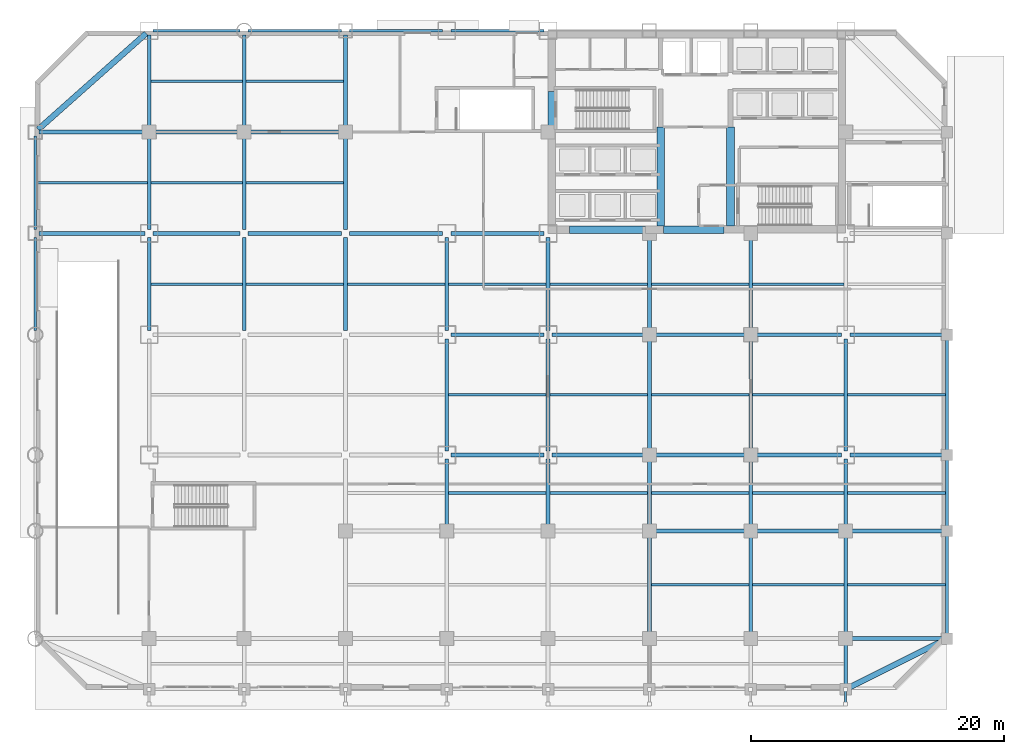
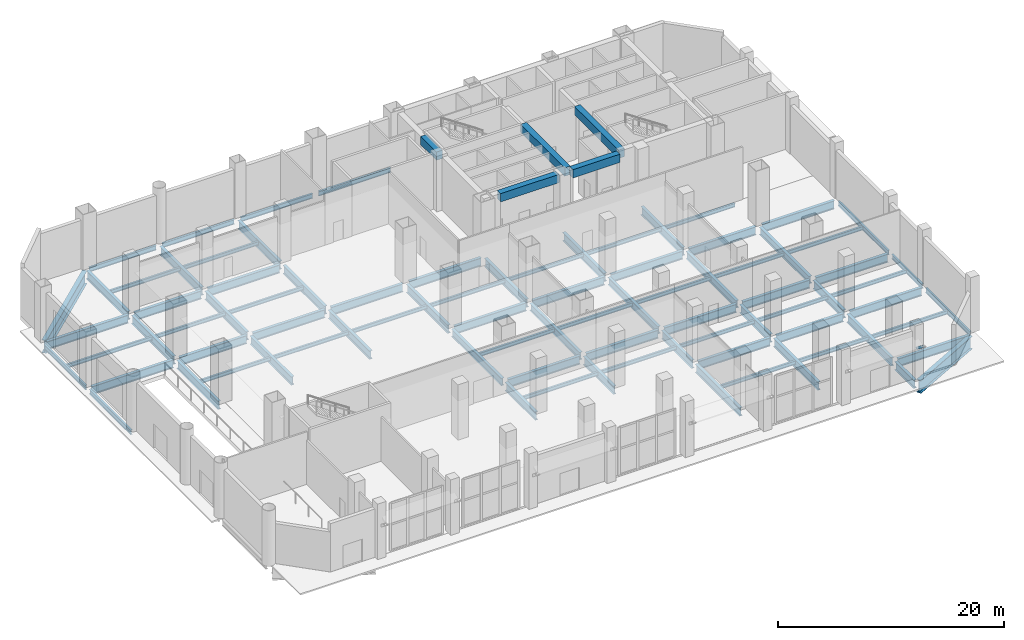
# One storey, part 9 of 19: 90 beams, 1 member.
"""IFC4 building model written with IfcOpenShell, lengths in metres."""

from ifc_helpers import new_model, si_unit, direction, frame, origin, origin_2d, place, context, subcontext, project, spatial, rectangle, hollow_rectangle, i_section, extrude, material, material_profile, profile_set, type_object, element, save


model = new_model("IFC4")

# Units and contexts
model_context = context("Model", 3, precision=1e-05, world=origin(), true_north=direction((0.0, 1.0)))
body_context = subcontext(model_context, "Body", "Model", "MODEL_VIEW")
ifc_project = project(units=[si_unit("LENGTHUNIT", "METRE"), si_unit("AREAUNIT", "SQUARE_METRE"), si_unit("VOLUMEUNIT", "CUBIC_METRE"), si_unit("PLANEANGLEUNIT", "RADIAN"), si_unit("MASSUNIT", "GRAM", prefix="KILO")], contexts=[model_context])

# Site, building, storey
site_placement = place(None, origin())
site = spatial("IfcSite", under=ifc_project, at=site_placement, CompositionType="ELEMENT")
building_placement = place(site_placement, origin())
building = spatial("IfcBuilding", under=site, at=building_placement, Name="Qianrong Seaharbour Tower", CompositionType="ELEMENT")
storey_placement = place(building_placement, origin())
storey = spatial("IfcBuildingStorey", under=building, at=storey_placement, Name="L01", CompositionType="ELEMENT", Elevation=0.0)

# Beams
ifc_material_1 = material(Name="Structural steel SN490B", Category="steel")
ifc_material_profile_1 = material_profile(ifc_material_1, i_section(OverallWidth=0.300048828125, OverallDepth=0.800048828125, WebThickness=0.013916015625, FlangeThickness=0.02587890625, FilletRadius=0.028076171875, at=origin_2d()), Name="H800x300x14x26")
ifc_profile_set_1 = profile_set([ifc_material_profile_1], Name="Structural steel SN490B")
beam_type_1 = type_object("IfcBeamType", Name="BM-G-800", PredefinedType="BEAM", material=ifc_profile_set_1)
for number, where, z_axis, x_axis, name in (
    (1, (32.5, 18.820068359375, -0.820068359375), (0.0, 1.0, 0.0), (-1.0, 0.0, 0.0), "L01 Primary Girder G5 GD-GE"),
    (2, (40.5, 18.820068359375, -0.820068359375), (0.0, 1.0, 0.0), (-1.0, 0.0, 0.0), "L01 Primary Girder G6 GD-GE"),
    (3, (48.5, 18.820068359375, -0.820068359375), (0.0, 1.0, 0.0), (-1.0, 0.0, 0.0), "L01 Primary Girder G7 GD-GE"),
    (4, (56.5, 18.820068359375, -0.820068359375), (0.0, 1.0, 0.0), (-1.0, 0.0, 0.0), "L01 Primary Girder G8 GD-GE"),
    (5, (64.0, 18.820068359375, -0.820068359375), (0.0, 1.0, 0.0), (-1.0, 0.0, 0.0), "L01 Primary Girder G9 GD-GE"),
):
    element("IfcBeam", number, at=place(storey_placement, frame(where, z_axis=z_axis, x_axis=x_axis)), inside=storey, type_object=beam_type_1, Name=name, PredefinedType="BEAM", context=body_context, shape_type="SweptSolid", body=[
        extrude(i_section(OverallWidth=0.300048828125, OverallDepth=0.800048828125, WebThickness=0.013916015625, FlangeThickness=0.02587890625, FilletRadius=0.028076171875, at=origin_2d()), origin(), (0.0, 0.0, 1.0), 8.85986328125),
    ])
ifc_material_profile_2 = material_profile(ifc_material_1, i_section(OverallWidth=0.300048828125, OverallDepth=0.89990234375, WebThickness=0.01611328125, FlangeThickness=0.028076171875, FilletRadius=0.028076171875, at=origin_2d()), Name="H900x300x16x28")
ifc_profile_set_2 = profile_set([ifc_material_profile_2], Name="Structural steel SN490B")
beam_type_2 = type_object("IfcBeamType", Name="BM-G-900", PredefinedType="BEAM", material=ifc_profile_set_2)
for number, where, z_axis, x_axis, name in (
    (6, (64.320068359375, 4.0, -0.8701171875), (1.0, 0.0, 0.0), (0.0, 1.0, 0.0), "L01 Primary Girder GB G9-G10"),
    (7, (48.820068359375, 12.5, -0.8701171875), (1.0, 0.0, 0.0), (0.0, 1.0, 0.0), "L01 Primary Girder GC G7-G8"),
):
    element("IfcBeam", number, at=place(storey_placement, frame(where, z_axis=z_axis, x_axis=x_axis)), inside=storey, type_object=beam_type_2, Name=name, PredefinedType="BEAM", context=body_context, shape_type="SweptSolid", body=[
        extrude(i_section(OverallWidth=0.300048828125, OverallDepth=0.89990234375, WebThickness=0.01611328125, FlangeThickness=0.028076171875, FilletRadius=0.028076171875, at=origin_2d()), origin(), (0.0, 0.0, 1.0), 7.35986328125),
    ])
beam_1_placement = place(storey_placement, frame((56.820068359375, 12.5, -0.8701171875), z_axis=(1.0, 0.0, 0.0), x_axis=(0.0, 1.0, 0.0)))
element("IfcBeam", 8, at=beam_1_placement, inside=storey, type_object=beam_type_2, Name="L01 Primary Girder GC G8-G9", PredefinedType="BEAM", context=body_context, shape_type="SweptSolid", body=[
    extrude(i_section(OverallWidth=0.300048828125, OverallDepth=0.89990234375, WebThickness=0.01611328125, FlangeThickness=0.028076171875, FilletRadius=0.028076171875, at=origin_2d()), origin(), (0.0, 0.0, 1.0), 6.85986328125),
])
for number, where, z_axis, x_axis, name in (
    (9, (64.320068359375, 12.5, -0.8701171875), (1.0, 0.0, 0.0), (0.0, 1.0, 0.0), "L01 Primary Girder GC G9-G10"),
    (10, (32.820068359375, 18.5, -0.8701171875), (1.0, 0.0, 0.0), (0.0, 1.0, 0.0), "L01 Primary Girder GD G5-G6"),
    (11, (40.820068359375, 18.5, -0.8701171875), (1.0, 0.0, 0.0), (0.0, 1.0, 0.0), "L01 Primary Girder GD G6-G7"),
    (12, (48.820068359375, 18.5, -0.8701171875), (1.0, 0.0, 0.0), (0.0, 1.0, 0.0), "L01 Primary Girder GD G7-G8"),
):
    element("IfcBeam", number, at=place(storey_placement, frame(where, z_axis=z_axis, x_axis=x_axis)), inside=storey, type_object=beam_type_2, Name=name, PredefinedType="BEAM", context=body_context, shape_type="SweptSolid", body=[
        extrude(i_section(OverallWidth=0.300048828125, OverallDepth=0.89990234375, WebThickness=0.01611328125, FlangeThickness=0.028076171875, FilletRadius=0.028076171875, at=origin_2d()), origin(), (0.0, 0.0, 1.0), 7.35986328125),
    ])
beam_2_placement = place(storey_placement, frame((56.820068359375, 18.5, -0.8701171875), z_axis=(1.0, 0.0, 0.0), x_axis=(0.0, 1.0, 0.0)))
element("IfcBeam", 13, at=beam_2_placement, inside=storey, type_object=beam_type_2, Name="L01 Primary Girder GD G8-G9", PredefinedType="BEAM", context=body_context, shape_type="SweptSolid", body=[
    extrude(i_section(OverallWidth=0.300048828125, OverallDepth=0.89990234375, WebThickness=0.01611328125, FlangeThickness=0.028076171875, FilletRadius=0.028076171875, at=origin_2d()), origin(), (0.0, 0.0, 1.0), 6.85986328125),
])
for number, where, z_axis, x_axis, name in (
    (14, (64.320068359375, 18.5, -0.8701171875), (1.0, 0.0, 0.0), (0.0, 1.0, 0.0), "L01 Primary Girder GD G9-G10"),
    (15, (32.820068359375, 28.0, -0.8701171875), (1.0, 0.0, 0.0), (0.0, 1.0, 0.0), "L01 Primary Girder GE G5-G6"),
    (16, (40.820068359375, 28.0, -0.8701171875), (1.0, 0.0, 0.0), (0.0, 1.0, 0.0), "L01 Primary Girder GE G6-G7"),
    (17, (48.820068359375, 28.0, -0.8701171875), (1.0, 0.0, 0.0), (0.0, 1.0, 0.0), "L01 Primary Girder GE G7-G8"),
):
    element("IfcBeam", number, at=place(storey_placement, frame(where, z_axis=z_axis, x_axis=x_axis)), inside=storey, type_object=beam_type_2, Name=name, PredefinedType="BEAM", context=body_context, shape_type="SweptSolid", body=[
        extrude(i_section(OverallWidth=0.300048828125, OverallDepth=0.89990234375, WebThickness=0.01611328125, FlangeThickness=0.028076171875, FilletRadius=0.028076171875, at=origin_2d()), origin(), (0.0, 0.0, 1.0), 7.35986328125),
    ])
beam_3_placement = place(storey_placement, frame((56.820068359375, 28.0, -0.8701171875), z_axis=(1.0, 0.0, 0.0), x_axis=(0.0, 1.0, 0.0)))
element("IfcBeam", 18, at=beam_3_placement, inside=storey, type_object=beam_type_2, Name="L01 Primary Girder GE G8-G9", PredefinedType="BEAM", context=body_context, shape_type="SweptSolid", body=[
    extrude(i_section(OverallWidth=0.300048828125, OverallDepth=0.89990234375, WebThickness=0.01611328125, FlangeThickness=0.028076171875, FilletRadius=0.028076171875, at=origin_2d()), origin(), (0.0, 0.0, 1.0), 6.85986328125),
])
beam_4_placement = place(storey_placement, frame((64.320068359375, 28.0, -0.8701171875), z_axis=(1.0, 0.0, 0.0), x_axis=(0.0, 1.0, 0.0)))
element("IfcBeam", 19, at=beam_4_placement, inside=storey, type_object=beam_type_2, Name="L01 Primary Girder GE G9-G10", PredefinedType="BEAM", context=body_context, shape_type="SweptSolid", body=[
    extrude(i_section(OverallWidth=0.300048828125, OverallDepth=0.89990234375, WebThickness=0.01611328125, FlangeThickness=0.028076171875, FilletRadius=0.028076171875, at=origin_2d()), origin(), (0.0, 0.0, 1.0), 7.35986328125),
])
beam_5_placement = place(storey_placement, frame((0.320068359375, 36.0, -0.8701171875), z_axis=(1.0, 0.0, 0.0), x_axis=(0.0, 1.0, 0.0)))
element("IfcBeam", 20, at=beam_5_placement, inside=storey, type_object=beam_type_2, Name="L01 Primary Girder GF G1-G2", PredefinedType="BEAM", context=body_context, shape_type="SweptSolid", body=[
    extrude(i_section(OverallWidth=0.300048828125, OverallDepth=0.89990234375, WebThickness=0.01611328125, FlangeThickness=0.028076171875, FilletRadius=0.028076171875, at=origin_2d()), origin(), (0.0, 0.0, 1.0), 8.35986328125),
])
beam_6_placement = place(storey_placement, frame((9.320068359375, 36.0, -0.8701171875), z_axis=(1.0, 0.0, 0.0), x_axis=(0.0, 1.0, 0.0)))
element("IfcBeam", 21, at=beam_6_placement, inside=storey, type_object=beam_type_2, Name="L01 Primary Girder GF G2-G3", PredefinedType="BEAM", context=body_context, shape_type="SweptSolid", body=[
    extrude(i_section(OverallWidth=0.300048828125, OverallDepth=0.89990234375, WebThickness=0.01611328125, FlangeThickness=0.028076171875, FilletRadius=0.028076171875, at=origin_2d()), origin(), (0.0, 0.0, 1.0), 6.85986328125),
])
for number, where, z_axis, x_axis, name in (
    (22, (16.820068359375, 36.0, -0.8701171875), (1.0, 0.0, 0.0), (0.0, 1.0, 0.0), "L01 Primary Girder GF G3-G4"),
    (23, (24.820068359375, 36.0, -0.8701171875), (1.0, 0.0, 0.0), (0.0, 1.0, 0.0), "L01 Primary Girder GF G4-G5"),
    (24, (32.820068359375, 36.0, -0.8701171875), (1.0, 0.0, 0.0), (0.0, 1.0, 0.0), "L01 Primary Girder GF G5-G6"),
):
    element("IfcBeam", number, at=place(storey_placement, frame(where, z_axis=z_axis, x_axis=x_axis)), inside=storey, type_object=beam_type_2, Name=name, PredefinedType="BEAM", context=body_context, shape_type="SweptSolid", body=[
        extrude(i_section(OverallWidth=0.300048828125, OverallDepth=0.89990234375, WebThickness=0.01611328125, FlangeThickness=0.028076171875, FilletRadius=0.028076171875, at=origin_2d()), origin(), (0.0, 0.0, 1.0), 7.35986328125),
    ])
beam_7_placement = place(storey_placement, frame((0.320068359375, 44.0, -0.8701171875), z_axis=(1.0, 0.0, 0.0), x_axis=(0.0, 1.0, 0.0)))
element("IfcBeam", 25, at=beam_7_placement, inside=storey, type_object=beam_type_2, Name="L01 Primary Girder GG G1-G2", PredefinedType="BEAM", context=body_context, shape_type="SweptSolid", body=[
    extrude(i_section(OverallWidth=0.300048828125, OverallDepth=0.89990234375, WebThickness=0.01611328125, FlangeThickness=0.028076171875, FilletRadius=0.028076171875, at=origin_2d()), origin(), (0.0, 0.0, 1.0), 8.35986328125),
])
beam_8_placement = place(storey_placement, frame((9.320068359375, 44.0, -0.8701171875), z_axis=(1.0, 0.0, 0.0), x_axis=(0.0, 1.0, 0.0)))
element("IfcBeam", 26, at=beam_8_placement, inside=storey, type_object=beam_type_2, Name="L01 Primary Girder GG G2-G3", PredefinedType="BEAM", context=body_context, shape_type="SweptSolid", body=[
    extrude(i_section(OverallWidth=0.300048828125, OverallDepth=0.89990234375, WebThickness=0.01611328125, FlangeThickness=0.028076171875, FilletRadius=0.028076171875, at=origin_2d()), origin(), (0.0, 0.0, 1.0), 6.85986328125),
])
for number, where, z_axis, x_axis, name in (
    (27, (16.820068359375, 44.0, -0.8701171875), (1.0, 0.0, 0.0), (0.0, 1.0, 0.0), "L01 Primary Girder GG G3-G4"),
    (28, (9.0, 28.320068359375, -0.8701171875), (0.0, 1.0, 0.0), (-1.0, 0.0, 0.0), "L01 Primary Girder G2 GE-GF"),
    (29, (9.0, 36.320068359375, -0.8701171875), (0.0, 1.0, 0.0), (-1.0, 0.0, 0.0), "L01 Primary Girder G2 GF-GG"),
    (30, (9.0, 44.320068359375, -0.8701171875), (0.0, 1.0, 0.0), (-1.0, 0.0, 0.0), "L01 Primary Girder G2 GG-GH"),
    (31, (16.5, 28.320068359375, -0.8701171875), (0.0, 1.0, 0.0), (-1.0, 0.0, 0.0), "L01 Primary Girder G3 GE-GF"),
    (32, (16.5, 36.320068359375, -0.8701171875), (0.0, 1.0, 0.0), (-1.0, 0.0, 0.0), "L01 Primary Girder G3 GF-GG"),
    (33, (16.5, 44.320068359375, -0.8701171875), (0.0, 1.0, 0.0), (-1.0, 0.0, 0.0), "L01 Primary Girder G3 GG-GH"),
    (34, (24.5, 28.320068359375, -0.8701171875), (0.0, 1.0, 0.0), (-1.0, 0.0, 0.0), "L01 Primary Girder G4 GE-GF"),
    (35, (24.5, 36.320068359375, -0.8701171875), (0.0, 1.0, 0.0), (-1.0, 0.0, 0.0), "L01 Primary Girder G4 GF-GG"),
    (36, (24.5, 44.320068359375, -0.8701171875), (0.0, 1.0, 0.0), (-1.0, 0.0, 0.0), "L01 Primary Girder G4 GG-GH"),
):
    element("IfcBeam", number, at=place(storey_placement, frame(where, z_axis=z_axis, x_axis=x_axis)), inside=storey, type_object=beam_type_2, Name=name, PredefinedType="BEAM", context=body_context, shape_type="SweptSolid", body=[
        extrude(i_section(OverallWidth=0.300048828125, OverallDepth=0.89990234375, WebThickness=0.01611328125, FlangeThickness=0.028076171875, FilletRadius=0.028076171875, at=origin_2d()), origin(), (0.0, 0.0, 1.0), 7.35986328125),
    ])
beam_9_placement = place(storey_placement, frame((32.5, 12.820068359375, -0.8701171875), z_axis=(0.0, 1.0, 0.0), x_axis=(-1.0, 0.0, 0.0)))
element("IfcBeam", 37, at=beam_9_placement, inside=storey, type_object=beam_type_2, Name="L01 Primary Girder G5 GC-GD", PredefinedType="BEAM", context=body_context, shape_type="SweptSolid", body=[
    extrude(i_section(OverallWidth=0.300048828125, OverallDepth=0.89990234375, WebThickness=0.01611328125, FlangeThickness=0.028076171875, FilletRadius=0.028076171875, at=origin_2d()), origin(), (0.0, 0.0, 1.0), 5.35986328125),
])
beam_10_placement = place(storey_placement, frame((32.5, 28.320068359375, -0.8701171875), z_axis=(0.0, 1.0, 0.0), x_axis=(-1.0, 0.0, 0.0)))
element("IfcBeam", 38, at=beam_10_placement, inside=storey, type_object=beam_type_2, Name="L01 Primary Girder G5 GE-GF", PredefinedType="BEAM", context=body_context, shape_type="SweptSolid", body=[
    extrude(i_section(OverallWidth=0.300048828125, OverallDepth=0.89990234375, WebThickness=0.01611328125, FlangeThickness=0.028076171875, FilletRadius=0.028076171875, at=origin_2d()), origin(), (0.0, 0.0, 1.0), 7.35986328125),
])
beam_11_placement = place(storey_placement, frame((40.5, 12.820068359375, -0.8701171875), z_axis=(0.0, 1.0, 0.0), x_axis=(-1.0, 0.0, 0.0)))
element("IfcBeam", 39, at=beam_11_placement, inside=storey, type_object=beam_type_2, Name="L01 Primary Girder G6 GC-GD", PredefinedType="BEAM", context=body_context, shape_type="SweptSolid", body=[
    extrude(i_section(OverallWidth=0.300048828125, OverallDepth=0.89990234375, WebThickness=0.01611328125, FlangeThickness=0.028076171875, FilletRadius=0.028076171875, at=origin_2d()), origin(), (0.0, 0.0, 1.0), 5.35986328125),
])
beam_12_placement = place(storey_placement, frame((40.5, 28.320068359375, -0.8701171875), z_axis=(0.0, 1.0, 0.0), x_axis=(-1.0, 0.0, 0.0)))
element("IfcBeam", 40, at=beam_12_placement, inside=storey, type_object=beam_type_2, Name="L01 Primary Girder G6 GE-GF", PredefinedType="BEAM", context=body_context, shape_type="SweptSolid", body=[
    extrude(i_section(OverallWidth=0.300048828125, OverallDepth=0.89990234375, WebThickness=0.01611328125, FlangeThickness=0.028076171875, FilletRadius=0.028076171875, at=origin_2d()), origin(), (0.0, 0.0, 1.0), 7.35986328125),
])
beam_13_placement = place(storey_placement, frame((48.5, 4.320068359375, -0.8701171875), z_axis=(0.0, 1.0, 0.0), x_axis=(-1.0, 0.0, 0.0)))
element("IfcBeam", 41, at=beam_13_placement, inside=storey, type_object=beam_type_2, Name="L01 Primary Girder G7 GB-GC", PredefinedType="BEAM", context=body_context, shape_type="SweptSolid", body=[
    extrude(i_section(OverallWidth=0.300048828125, OverallDepth=0.89990234375, WebThickness=0.01611328125, FlangeThickness=0.028076171875, FilletRadius=0.028076171875, at=origin_2d()), origin(), (0.0, 0.0, 1.0), 7.85986328125),
])
beam_14_placement = place(storey_placement, frame((48.5, 12.820068359375, -0.8701171875), z_axis=(0.0, 1.0, 0.0), x_axis=(-1.0, 0.0, 0.0)))
element("IfcBeam", 42, at=beam_14_placement, inside=storey, type_object=beam_type_2, Name="L01 Primary Girder G7 GC-GD", PredefinedType="BEAM", context=body_context, shape_type="SweptSolid", body=[
    extrude(i_section(OverallWidth=0.300048828125, OverallDepth=0.89990234375, WebThickness=0.01611328125, FlangeThickness=0.028076171875, FilletRadius=0.028076171875, at=origin_2d()), origin(), (0.0, 0.0, 1.0), 5.35986328125),
])
beam_15_placement = place(storey_placement, frame((48.5, 28.320068359375, -0.8701171875), z_axis=(0.0, 1.0, 0.0), x_axis=(-1.0, 0.0, 0.0)))
element("IfcBeam", 43, at=beam_15_placement, inside=storey, type_object=beam_type_2, Name="L01 Primary Girder G7 GE-GF", PredefinedType="BEAM", context=body_context, shape_type="SweptSolid", body=[
    extrude(i_section(OverallWidth=0.300048828125, OverallDepth=0.89990234375, WebThickness=0.01611328125, FlangeThickness=0.028076171875, FilletRadius=0.028076171875, at=origin_2d()), origin(), (0.0, 0.0, 1.0), 7.35986328125),
])
beam_16_placement = place(storey_placement, frame((56.5, 4.320068359375, -0.8701171875), z_axis=(0.0, 1.0, 0.0), x_axis=(-1.0, 0.0, 0.0)))
element("IfcBeam", 44, at=beam_16_placement, inside=storey, type_object=beam_type_2, Name="L01 Primary Girder G8 GB-GC", PredefinedType="BEAM", context=body_context, shape_type="SweptSolid", body=[
    extrude(i_section(OverallWidth=0.300048828125, OverallDepth=0.89990234375, WebThickness=0.01611328125, FlangeThickness=0.028076171875, FilletRadius=0.028076171875, at=origin_2d()), origin(), (0.0, 0.0, 1.0), 7.85986328125),
])
beam_17_placement = place(storey_placement, frame((56.5, 12.820068359375, -0.8701171875), z_axis=(0.0, 1.0, 0.0), x_axis=(-1.0, 0.0, 0.0)))
element("IfcBeam", 45, at=beam_17_placement, inside=storey, type_object=beam_type_2, Name="L01 Primary Girder G8 GC-GD", PredefinedType="BEAM", context=body_context, shape_type="SweptSolid", body=[
    extrude(i_section(OverallWidth=0.300048828125, OverallDepth=0.89990234375, WebThickness=0.01611328125, FlangeThickness=0.028076171875, FilletRadius=0.028076171875, at=origin_2d()), origin(), (0.0, 0.0, 1.0), 5.35986328125),
])
beam_18_placement = place(storey_placement, frame((56.5, 28.320068359375, -0.8701171875), z_axis=(0.0, 1.0, 0.0), x_axis=(-1.0, 0.0, 0.0)))
element("IfcBeam", 46, at=beam_18_placement, inside=storey, type_object=beam_type_2, Name="L01 Primary Girder G8 GE-GF", PredefinedType="BEAM", context=body_context, shape_type="SweptSolid", body=[
    extrude(i_section(OverallWidth=0.300048828125, OverallDepth=0.89990234375, WebThickness=0.01611328125, FlangeThickness=0.028076171875, FilletRadius=0.028076171875, at=origin_2d()), origin(), (0.0, 0.0, 1.0), 7.35986328125),
])
beam_19_placement = place(storey_placement, frame((64.0, 0.320068359375, -0.8701171875), z_axis=(0.0, 1.0, 0.0), x_axis=(-1.0, 0.0, 0.0)))
element("IfcBeam", 47, at=beam_19_placement, inside=storey, type_object=beam_type_2, Name="L01 Primary Girder G9 GA-GB", PredefinedType="BEAM", context=body_context, shape_type="SweptSolid", body=[
    extrude(i_section(OverallWidth=0.300048828125, OverallDepth=0.89990234375, WebThickness=0.01611328125, FlangeThickness=0.028076171875, FilletRadius=0.028076171875, at=origin_2d()), origin(), (0.0, 0.0, 1.0), 3.35986328125),
])
beam_20_placement = place(storey_placement, frame((64.0, 4.320068359375, -0.8701171875), z_axis=(0.0, 1.0, 0.0), x_axis=(-1.0, 0.0, 0.0)))
element("IfcBeam", 48, at=beam_20_placement, inside=storey, type_object=beam_type_2, Name="L01 Primary Girder G9 GB-GC", PredefinedType="BEAM", context=body_context, shape_type="SweptSolid", body=[
    extrude(i_section(OverallWidth=0.300048828125, OverallDepth=0.89990234375, WebThickness=0.01611328125, FlangeThickness=0.028076171875, FilletRadius=0.028076171875, at=origin_2d()), origin(), (0.0, 0.0, 1.0), 7.85986328125),
])
beam_21_placement = place(storey_placement, frame((64.0, 12.820068359375, -0.8701171875), z_axis=(0.0, 1.0, 0.0), x_axis=(-1.0, 0.0, 0.0)))
element("IfcBeam", 49, at=beam_21_placement, inside=storey, type_object=beam_type_2, Name="L01 Primary Girder G9 GC-GD", PredefinedType="BEAM", context=body_context, shape_type="SweptSolid", body=[
    extrude(i_section(OverallWidth=0.300048828125, OverallDepth=0.89990234375, WebThickness=0.01611328125, FlangeThickness=0.028076171875, FilletRadius=0.028076171875, at=origin_2d()), origin(), (0.0, 0.0, 1.0), 5.35986328125),
])
ifc_material_2 = material(Name="Structural steel SN400B", Category="steel")
ifc_material_profile_3 = material_profile(ifc_material_2, i_section(OverallWidth=0.199951171875, OverallDepth=0.39990234375, WebThickness=0.008056640625, FlangeThickness=0.012939453125, FilletRadius=0.01611328125, at=origin_2d()), Name="H400x200x8x13")
ifc_profile_set_3 = profile_set([ifc_material_profile_3], Name="Structural steel SN400B")
beam_type_3 = type_object("IfcBeamType", Name="BM-J-400", PredefinedType="JOIST", material=ifc_profile_set_3)
beam_22_placement = place(storey_placement, frame((0.10009765625, 40.0, -0.6201171875), z_axis=(1.0, 0.0, 0.0), x_axis=(0.0, 1.0, 0.0)))
element("IfcBeam", 50, at=beam_22_placement, inside=storey, type_object=beam_type_3, Name="L01 Composite Floor Joist G1-G2/GF-GG", PredefinedType="JOIST", context=body_context, shape_type="SweptSolid", body=[
    extrude(i_section(OverallWidth=0.199951171875, OverallDepth=0.39990234375, WebThickness=0.008056640625, FlangeThickness=0.012939453125, FilletRadius=0.01611328125, at=origin_2d()), origin(), (0.0, 0.0, 1.0), 8.75),
])
for number, where, z_axis, x_axis, name in (
    (51, (9.14990234375, 32.0, -0.6201171875), (1.0, 0.0, 0.0), (0.0, 1.0, 0.0), "L01 Composite Floor Joist G2-G3/GE-GF"),
    (52, (9.14990234375, 40.0, -0.6201171875), (1.0, 0.0, 0.0), (0.0, 1.0, 0.0), "L01 Composite Floor Joist G2-G3/GF-GG"),
    (53, (9.14990234375, 48.0, -0.6201171875), (1.0, 0.0, 0.0), (0.0, 1.0, 0.0), "L01 Composite Floor Joist G2-G3/GG-GH"),
):
    element("IfcBeam", number, at=place(storey_placement, frame(where, z_axis=z_axis, x_axis=x_axis)), inside=storey, type_object=beam_type_3, Name=name, PredefinedType="JOIST", context=body_context, shape_type="SweptSolid", body=[
        extrude(i_section(OverallWidth=0.199951171875, OverallDepth=0.39990234375, WebThickness=0.008056640625, FlangeThickness=0.012939453125, FilletRadius=0.01611328125, at=origin_2d()), origin(), (0.0, 0.0, 1.0), 7.2001953125),
    ])
for number, where, z_axis, x_axis, name in (
    (54, (16.64990234375, 32.0, -0.6201171875), (1.0, 0.0, 0.0), (0.0, 1.0, 0.0), "L01 Composite Floor Joist G3-G4/GE-GF"),
    (55, (16.64990234375, 40.0, -0.6201171875), (1.0, 0.0, 0.0), (0.0, 1.0, 0.0), "L01 Composite Floor Joist G3-G4/GF-GG"),
    (56, (16.64990234375, 48.0, -0.6201171875), (1.0, 0.0, 0.0), (0.0, 1.0, 0.0), "L01 Composite Floor Joist G3-G4/GG-GH"),
    (57, (24.64990234375, 32.0, -0.6201171875), (1.0, 0.0, 0.0), (0.0, 1.0, 0.0), "L01 Composite Floor Joist G4-G5/GE-GF"),
    (58, (32.64990234375, 15.5, -0.6201171875), (1.0, 0.0, 0.0), (0.0, 1.0, 0.0), "L01 Composite Floor Joist G5-G6/GC-GD"),
    (59, (32.64990234375, 23.25, -0.6201171875), (1.0, 0.0, 0.0), (0.0, 1.0, 0.0), "L01 Composite Floor Joist G5-G6/GD-GE"),
    (60, (32.64990234375, 32.0, -0.6201171875), (1.0, 0.0, 0.0), (0.0, 1.0, 0.0), "L01 Composite Floor Joist G5-G6/GE-GF"),
    (61, (40.64990234375, 15.5, -0.6201171875), (1.0, 0.0, 0.0), (0.0, 1.0, 0.0), "L01 Composite Floor Joist G6-G7/GC-GD"),
    (62, (40.64990234375, 23.25, -0.6201171875), (1.0, 0.0, 0.0), (0.0, 1.0, 0.0), "L01 Composite Floor Joist G6-G7/GD-GE"),
    (63, (40.64990234375, 32.0, -0.6201171875), (1.0, 0.0, 0.0), (0.0, 1.0, 0.0), "L01 Composite Floor Joist G6-G7/GE-GF"),
    (64, (48.64990234375, 8.25, -0.6201171875), (1.0, 0.0, 0.0), (0.0, 1.0, 0.0), "L01 Composite Floor Joist G7-G8/GB-GC"),
    (65, (48.64990234375, 15.5, -0.6201171875), (1.0, 0.0, 0.0), (0.0, 1.0, 0.0), "L01 Composite Floor Joist G7-G8/GC-GD"),
    (66, (48.64990234375, 23.25, -0.6201171875), (1.0, 0.0, 0.0), (0.0, 1.0, 0.0), "L01 Composite Floor Joist G7-G8/GD-GE"),
    (67, (48.64990234375, 32.0, -0.6201171875), (1.0, 0.0, 0.0), (0.0, 1.0, 0.0), "L01 Composite Floor Joist G7-G8/GE-GF"),
):
    element("IfcBeam", number, at=place(storey_placement, frame(where, z_axis=z_axis, x_axis=x_axis)), inside=storey, type_object=beam_type_3, Name=name, PredefinedType="JOIST", context=body_context, shape_type="SweptSolid", body=[
        extrude(i_section(OverallWidth=0.199951171875, OverallDepth=0.39990234375, WebThickness=0.008056640625, FlangeThickness=0.012939453125, FilletRadius=0.01611328125, at=origin_2d()), origin(), (0.0, 0.0, 1.0), 7.7001953125),
    ])
for number, where, z_axis, x_axis, name in (
    (68, (56.64990234375, 8.25, -0.6201171875), (1.0, 0.0, 0.0), (0.0, 1.0, 0.0), "L01 Composite Floor Joist G8-G9/GB-GC"),
    (69, (56.64990234375, 15.5, -0.6201171875), (1.0, 0.0, 0.0), (0.0, 1.0, 0.0), "L01 Composite Floor Joist G8-G9/GC-GD"),
    (70, (56.64990234375, 23.25, -0.6201171875), (1.0, 0.0, 0.0), (0.0, 1.0, 0.0), "L01 Composite Floor Joist G8-G9/GD-GE"),
    (71, (56.64990234375, 32.0, -0.6201171875), (1.0, 0.0, 0.0), (0.0, 1.0, 0.0), "L01 Composite Floor Joist G8-G9/GE-GF"),
):
    element("IfcBeam", number, at=place(storey_placement, frame(where, z_axis=z_axis, x_axis=x_axis)), inside=storey, type_object=beam_type_3, Name=name, PredefinedType="JOIST", context=body_context, shape_type="SweptSolid", body=[
        extrude(i_section(OverallWidth=0.199951171875, OverallDepth=0.39990234375, WebThickness=0.008056640625, FlangeThickness=0.012939453125, FilletRadius=0.01611328125, at=origin_2d()), origin(), (0.0, 0.0, 1.0), 7.2001953125),
    ])
for number, where, z_axis, x_axis, name in (
    (72, (64.14990234375, 8.25, -0.6201171875), (1.0, 0.0, 0.0), (0.0, 1.0, 0.0), "L01 Composite Floor Joist G9-G10/GB-GC"),
    (73, (64.14990234375, 15.5, -0.6201171875), (1.0, 0.0, 0.0), (0.0, 1.0, 0.0), "L01 Composite Floor Joist G9-G10/GC-GD"),
    (74, (64.14990234375, 23.25, -0.6201171875), (1.0, 0.0, 0.0), (0.0, 1.0, 0.0), "L01 Composite Floor Joist G9-G10/GD-GE"),
):
    element("IfcBeam", number, at=place(storey_placement, frame(where, z_axis=z_axis, x_axis=x_axis)), inside=storey, type_object=beam_type_3, Name=name, PredefinedType="JOIST", context=body_context, shape_type="SweptSolid", body=[
        extrude(i_section(OverallWidth=0.199951171875, OverallDepth=0.39990234375, WebThickness=0.008056640625, FlangeThickness=0.012939453125, FilletRadius=0.01611328125, at=origin_2d()), origin(), (0.0, 0.0, 1.0), 7.75),
    ])
ifc_material_3 = material(Name="Concrete C70/85", Category="concrete")
ifc_material_profile_4 = material_profile(ifc_material_3, rectangle(XDim=0.60009765625, YDim=0.89990234375, at=origin_2d()), Name="RC600x900")
ifc_profile_set_4 = profile_set([ifc_material_profile_4], Name="Concrete C70/85")
beam_type_4 = type_object("IfcBeamType", Name="BM-LINTEL-900", PredefinedType="LINTEL", material=ifc_profile_set_4)
beam_23_placement = place(storey_placement, frame((40.7900390625, 44.39990234375, 5.27001953125), z_axis=(0.0, 1.0, 0.0), x_axis=(-1.0, 0.0, 0.0)))
element("IfcBeam", 75, at=beam_23_placement, inside=storey, type_object=beam_type_4, Name="L01 Core Coupling Lintel Beam West", PredefinedType="LINTEL", context=body_context, shape_type="SweptSolid", body=[
    extrude(rectangle(XDim=0.60009765625, YDim=0.89990234375, at=origin_2d()), origin(), (0.0, 0.0, 1.0), 2.800048828125),
])
beam_24_placement = place(storey_placement, frame((42.199951171875, 36.2900390625, 5.27001953125), z_axis=(1.0, 0.0, 0.0), x_axis=(0.0, 1.0, 0.0)))
element("IfcBeam", 76, at=beam_24_placement, inside=storey, type_object=beam_type_4, Name="L01 Core Coupling Lintel Beam CBW", PredefinedType="LINTEL", context=body_context, shape_type="SweptSolid", body=[
    extrude(rectangle(XDim=0.60009765625, YDim=0.89990234375, at=origin_2d()), origin(), (0.0, 0.0, 1.0), 6.0),
])
beam_25_placement = place(storey_placement, frame((49.60009765625, 36.2900390625, 5.27001953125), z_axis=(1.0, 0.0, 0.0), x_axis=(0.0, 1.0, 0.0)))
element("IfcBeam", 77, at=beam_25_placement, inside=storey, type_object=beam_type_4, Name="L01 Core Coupling Lintel Beam CBC", PredefinedType="LINTEL", context=body_context, shape_type="SweptSolid", body=[
    extrude(rectangle(XDim=0.60009765625, YDim=0.89990234375, at=origin_2d()), origin(), (0.0, 0.0, 1.0), 4.7998046875),
])
for number, where, z_axis, x_axis, name in (
    (78, (49.39990234375, 36.580078125, 5.27001953125), (0.0, 1.0, 0.0), (-1.0, 0.0, 0.0), "L01 Internal Core Coupling Beam IW1"),
    (79, (54.89990234375, 36.580078125, 5.27001953125), (0.0, 1.0, 0.0), (-1.0, 0.0, 0.0), "L01 Internal Core Coupling Beam IW2"),
):
    element("IfcBeam", number, at=place(storey_placement, frame(where, z_axis=z_axis, x_axis=x_axis)), inside=storey, type_object=beam_type_4, Name=name, PredefinedType="LINTEL", context=body_context, shape_type="SweptSolid", body=[
        extrude(rectangle(XDim=0.60009765625, YDim=0.89990234375, at=origin_2d()), origin(), (0.0, 0.0, 1.0), 7.81982421875),
    ])
ifc_material_profile_5 = material_profile(ifc_material_1, i_section(OverallWidth=0.199951171875, OverallDepth=0.5, WebThickness=0.010009765625, FlangeThickness=0.01611328125, FilletRadius=0.02001953125, at=origin_2d()), Name="H500x200x10x16")
ifc_profile_set_5 = profile_set([ifc_material_profile_5], Name="Structural steel SN490B")
beam_type_5 = type_object("IfcBeamType", Name="BM-SP-500", PredefinedType="SPANDREL", material=ifc_profile_set_5)
beam_26_placement = place(storey_placement, frame((9.320068359375, 52.0, -0.669921875), z_axis=(1.0, 0.0, 0.0), x_axis=(0.0, 1.0, 0.0)))
element("IfcBeam", 80, at=beam_26_placement, inside=storey, type_object=beam_type_5, Name="L01 Spandrel Girder GH G2-G3", PredefinedType="SPANDREL", context=body_context, shape_type="SweptSolid", body=[
    extrude(i_section(OverallWidth=0.199951171875, OverallDepth=0.5, WebThickness=0.010009765625, FlangeThickness=0.01611328125, FilletRadius=0.02001953125, at=origin_2d()), origin(), (0.0, 0.0, 1.0), 6.85986328125),
])
for number, where, z_axis, x_axis, name in (
    (81, (16.820068359375, 52.0, -0.669921875), (1.0, 0.0, 0.0), (0.0, 1.0, 0.0), "L01 Spandrel Girder GH G3-G4"),
    (82, (24.820068359375, 52.0, -0.669921875), (1.0, 0.0, 0.0), (0.0, 1.0, 0.0), "L01 Spandrel Girder GH G4-G5"),
    (83, (32.820068359375, 52.0, -0.669921875), (1.0, 0.0, 0.0), (0.0, 1.0, 0.0), "L01 Spandrel Girder GH G5-G6"),
    (84, (0.0, 28.320068359375, -0.669921875), (0.0, 1.0, 0.0), (-1.0, 0.0, 0.0), "L01 Spandrel Girder G1 GE-GF"),
    (85, (0.0, 36.320068359375, -0.669921875), (0.0, 1.0, 0.0), (-1.0, 0.0, 0.0), "L01 Spandrel Girder G1 GF-GG"),
):
    element("IfcBeam", number, at=place(storey_placement, frame(where, z_axis=z_axis, x_axis=x_axis)), inside=storey, type_object=beam_type_5, Name=name, PredefinedType="SPANDREL", context=body_context, shape_type="SweptSolid", body=[
        extrude(i_section(OverallWidth=0.199951171875, OverallDepth=0.5, WebThickness=0.010009765625, FlangeThickness=0.01611328125, FilletRadius=0.02001953125, at=origin_2d()), origin(), (0.0, 0.0, 1.0), 7.35986328125),
    ])
beam_27_placement = place(storey_placement, frame((72.0, 4.320068359375, -0.669921875), z_axis=(0.0, 1.0, 0.0), x_axis=(-1.0, 0.0, 0.0)))
element("IfcBeam", 86, at=beam_27_placement, inside=storey, type_object=beam_type_5, Name="L01 Spandrel Girder G10 GB-GC", PredefinedType="SPANDREL", context=body_context, shape_type="SweptSolid", body=[
    extrude(i_section(OverallWidth=0.199951171875, OverallDepth=0.5, WebThickness=0.010009765625, FlangeThickness=0.01611328125, FilletRadius=0.02001953125, at=origin_2d()), origin(), (0.0, 0.0, 1.0), 7.85986328125),
])
beam_28_placement = place(storey_placement, frame((72.0, 12.820068359375, -0.669921875), z_axis=(0.0, 1.0, 0.0), x_axis=(-1.0, 0.0, 0.0)))
element("IfcBeam", 87, at=beam_28_placement, inside=storey, type_object=beam_type_5, Name="L01 Spandrel Girder G10 GC-GD", PredefinedType="SPANDREL", context=body_context, shape_type="SweptSolid", body=[
    extrude(i_section(OverallWidth=0.199951171875, OverallDepth=0.5, WebThickness=0.010009765625, FlangeThickness=0.01611328125, FilletRadius=0.02001953125, at=origin_2d()), origin(), (0.0, 0.0, 1.0), 5.35986328125),
])
beam_29_placement = place(storey_placement, frame((72.0, 18.820068359375, -0.669921875), z_axis=(0.0, 1.0, 0.0), x_axis=(-1.0, 0.0, 0.0)))
element("IfcBeam", 88, at=beam_29_placement, inside=storey, type_object=beam_type_5, Name="L01 Spandrel Girder G10 GD-GE", PredefinedType="SPANDREL", context=body_context, shape_type="SweptSolid", body=[
    extrude(i_section(OverallWidth=0.199951171875, OverallDepth=0.5, WebThickness=0.010009765625, FlangeThickness=0.01611328125, FilletRadius=0.02001953125, at=origin_2d()), origin(), (0.0, 0.0, 1.0), 8.85986328125),
])
ifc_material_profile_6 = material_profile(ifc_material_1, i_section(OverallWidth=0.449951171875, OverallDepth=1.39990234375, WebThickness=0.02197265625, FlangeThickness=0.0400390625, at=origin_2d()), Name="BH1400x450x22x40")
ifc_profile_set_6 = profile_set([ifc_material_profile_6], Name="Structural steel SN490B")
beam_type_6 = type_object("IfcBeamType", Name="BM-TG-1400", PredefinedType="BEAM", material=ifc_profile_set_6)
beam_30_placement = place(storey_placement, frame((8.7607421875, 51.787353515625, -1.1201171875), z_axis=(-0.747406955841, -0.664366497018, 0.0), x_axis=(0.664366497018, -0.747406955841, 0.0)))
element("IfcBeam", 89, at=beam_30_placement, inside=storey, type_object=beam_type_6, Name="L01 Chamfer Corner Spandrel Girder G1/GH", PredefinedType="BEAM", context=body_context, shape_type="SweptSolid", body=[
    extrude(i_section(OverallWidth=0.449951171875, OverallDepth=1.39990234375, WebThickness=0.02197265625, FlangeThickness=0.0400390625, at=origin_2d()), origin(), (0.0, 0.0, 1.0), 11.4013671875),
])
beam_31_placement = place(storey_placement, frame((64.2861328125, 0.14306640625, -1.1201171875), z_axis=(0.894427191, 0.4472135955, 0.0), x_axis=(-0.4472135955, 0.894427191, 0.0)))
element("IfcBeam", 90, at=beam_31_placement, inside=storey, type_object=beam_type_6, Name="L01 Chamfer Corner Spandrel Girder G10/GA", PredefinedType="BEAM", context=body_context, shape_type="SweptSolid", body=[
    extrude(i_section(OverallWidth=0.449951171875, OverallDepth=1.39990234375, WebThickness=0.02197265625, FlangeThickness=0.0400390625, at=origin_2d()), origin(), (0.0, 0.0, 1.0), 8.304443359375),
])

# Member
ifc_material_profile_7 = material_profile(ifc_material_2, hollow_rectangle(XDim=0.14990234375, YDim=0.25, WallThickness=0.009033203125, at=origin_2d()), Name="RHS250x150x9")
ifc_profile_set_7 = profile_set([ifc_material_profile_7], Name="Structural steel SN400B")
member_type = type_object("IfcMemberType", Name="MEM-STRUT-250", PredefinedType="STRUT", material=ifc_profile_set_7)
member_placement = place(storey_placement, frame((64.0, 0.0, 3.199951171875), z_axis=(0.0, -0.78743090963, 0.616402922251), x_axis=(1.0, 0.0, 0.0)))
element("IfcMember", 91, at=member_placement, inside=storey, type_object=member_type, Name="Colonnade Canopy Support Strut 4E", PredefinedType="STRUT", context=body_context, shape_type="SweptSolid", body=[
    extrude(hollow_rectangle(XDim=0.14990234375, YDim=0.25, WallThickness=0.009033203125, at=origin_2d()), origin(), (0.0, 0.0, 1.0), 1.460205078125),
])

save(model, "model.ifc")
